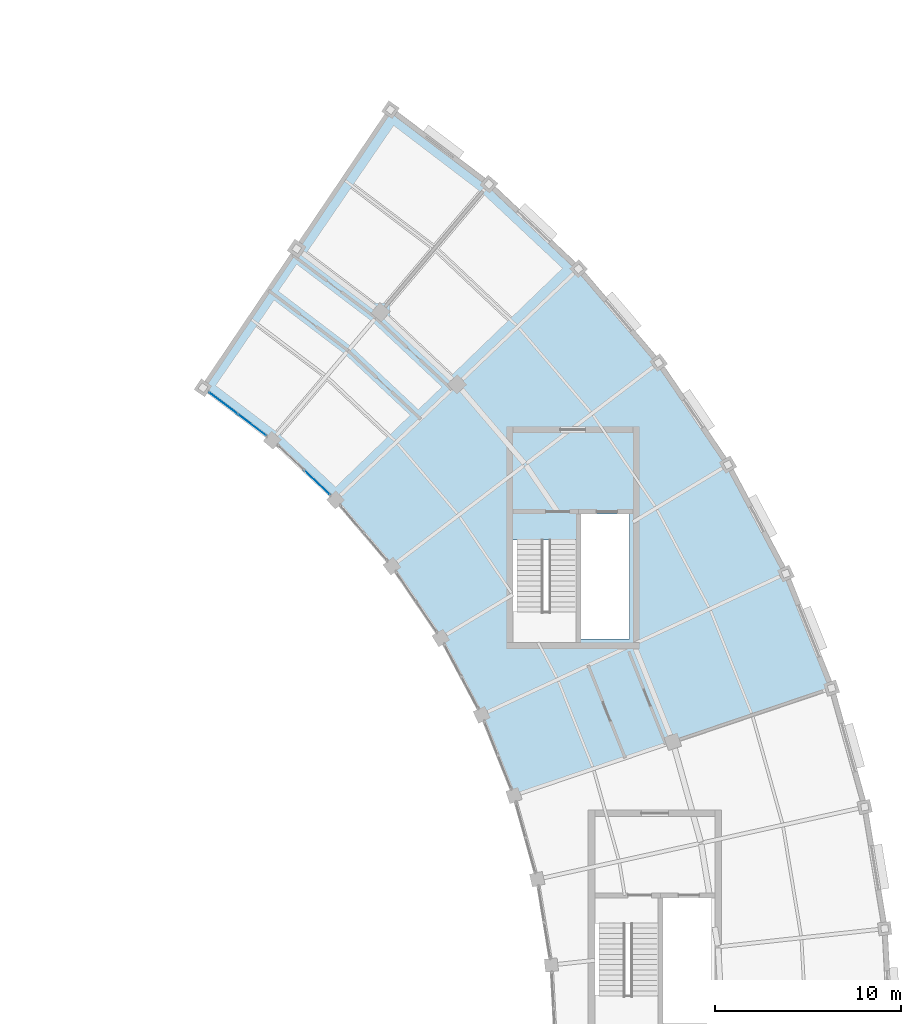
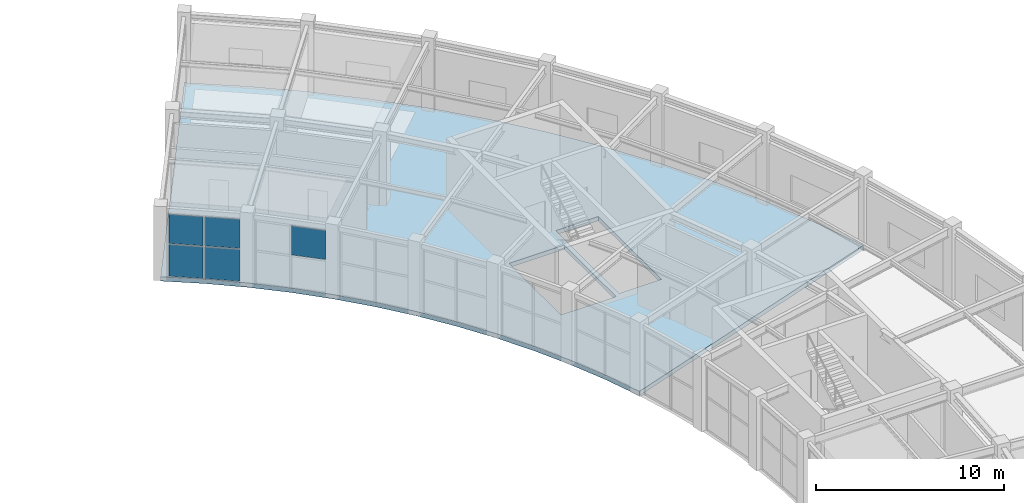
# One storey, part 75 of 100: 5 plates, 1 slab, 2 elements without a shape of their own.
"""IFC4 building model written with IfcOpenShell, lengths in metres."""

from ifc_helpers import new_model, si_unit, direction, frame, origin, origin_2d, place, context, subcontext, project, spatial, polyline, rectangle, outline, extrude, material, layer, layer_set, type_object, element, aggregate, save


model = new_model("IFC4")

# Units and contexts
model_context = context("Model", 3, precision=1e-05, world=origin(), true_north=direction((0.0, 1.0)))
body_context = subcontext(model_context, "Body", "Model", "MODEL_VIEW")
ifc_project = project(units=[si_unit("LENGTHUNIT", "METRE"), si_unit("AREAUNIT", "SQUARE_METRE"), si_unit("VOLUMEUNIT", "CUBIC_METRE"), si_unit("PLANEANGLEUNIT", "RADIAN"), si_unit("MASSUNIT", "GRAM", prefix="KILO")], contexts=[model_context])

# Site, building, storey
site_placement = place(None, origin())
site = spatial("IfcSite", under=ifc_project, at=site_placement, CompositionType="ELEMENT")
building_placement = place(site_placement, origin())
building = spatial("IfcBuilding", under=site, at=building_placement, Name="Tarnveldt Headland Concert Hall", CompositionType="ELEMENT")
storey_placement = place(building_placement, frame((0.0, 0.0, 4.800048828125)))
storey = spatial("IfcBuildingStorey", under=building, at=storey_placement, Name="L01", CompositionType="ELEMENT", Elevation=4.800048828125)

# Curtain wall, plate
ifc_material_1 = material(Name="Marine-anodised aluminium EN AW-6063-T6", Category="aluminium")
curtain_wall_type = type_object("IfcCurtainWallType", Name="CW-C2", PredefinedType="NOTDEFINED", material=ifc_material_1)
curtain_wall_1_placement = place(storey_placement, origin())
curtain_wall_1 = element("IfcCurtainWall", 1, at=curtain_wall_1_placement, inside=storey, type_object=curtain_wall_type, Name="Curtain wall CW-L01-121", PredefinedType="NOTDEFINED")
ifc_material_2 = material(Name="Acoustic laminated low-iron double glazing", Category="glass")
ifc_layer_1 = layer(ifc_material_2, 0.02587890625, Name="Acoustic laminated low-iron double glazing", Category="glass")
ifc_layer_set_1 = layer_set([ifc_layer_1], Name="Acoustic laminated low-iron double glazing")
plate_type = type_object("IfcPlateType", Name="PN-C2", PredefinedType="CURTAIN_PANEL", material=ifc_layer_set_1)
plate_1_placement = place(storey_placement, frame((147.671875, 90.56396484375, 2.213623046875), z_axis=(0.0, 0.0, 1.0), x_axis=(-0.72736565674, 0.686250101199, 0.0)))
plate_1 = element("IfcPlate", 2, at=plate_1_placement, type_object=plate_type, Name="Glazed panel CW-L01-121-1-2", PredefinedType="CURTAIN_PANEL", context=body_context, shape_type="SweptSolid", body=[
    extrude(rectangle(XDim=1.834716796875, YDim=0.02587890625, at=origin_2d()), origin(), (0.0, 0.0, 1.0), 1.87646484375),
])
aggregate(curtain_wall_1, [plate_1])

# Curtain wall, plates
curtain_wall_2_placement = place(storey_placement, origin())
curtain_wall_2 = element("IfcCurtainWall", 3, at=curtain_wall_2_placement, inside=storey, type_object=curtain_wall_type, Name="Curtain wall CW-L01-122", PredefinedType="NOTDEFINED")
plate_2_placement = place(storey_placement, frame((144.181396484375, 93.654296875, 0.08984375), z_axis=(0.0, 0.0, 1.0), x_axis=(-0.797468106507, 0.603361101749, 0.0)))
plate_2 = element("IfcPlate", 4, at=plate_2_placement, type_object=plate_type, Name="Glazed panel CW-L01-122-1-1", PredefinedType="CURTAIN_PANEL", context=body_context, shape_type="SweptSolid", body=[
    extrude(rectangle(XDim=1.834716796875, YDim=0.02587890625, at=origin_2d()), origin(), (0.0, 0.0, 1.0), 2.043701171875),
])
plate_3_placement = place(storey_placement, frame((144.181396484375, 93.654296875, 2.213623046875), z_axis=(0.0, 0.0, 1.0), x_axis=(-0.797468106507, 0.603361101749, 0.0)))
plate_3 = element("IfcPlate", 5, at=plate_3_placement, type_object=plate_type, Name="Glazed panel CW-L01-122-1-2", PredefinedType="CURTAIN_PANEL", context=body_context, shape_type="SweptSolid", body=[
    extrude(rectangle(XDim=1.834716796875, YDim=0.02587890625, at=origin_2d()), origin(), (0.0, 0.0, 1.0), 1.87646484375),
])
plate_4_placement = place(storey_placement, frame((142.63134765625, 94.826904296875, 0.08984375), z_axis=(0.0, 0.0, 1.0), x_axis=(-0.797468106507, 0.603361101749, 0.0)))
plate_4 = element("IfcPlate", 6, at=plate_4_placement, type_object=plate_type, Name="Glazed panel CW-L01-122-2-1", PredefinedType="CURTAIN_PANEL", context=body_context, shape_type="SweptSolid", body=[
    extrude(rectangle(XDim=1.834716796875, YDim=0.02587890625, at=origin_2d()), origin(), (0.0, 0.0, 1.0), 2.043701171875),
])
plate_5_placement = place(storey_placement, frame((142.63134765625, 94.826904296875, 2.213623046875), z_axis=(0.0, 0.0, 1.0), x_axis=(-0.797468106507, 0.603361101749, 0.0)))
plate_5 = element("IfcPlate", 7, at=plate_5_placement, type_object=plate_type, Name="Glazed panel CW-L01-122-2-2", PredefinedType="CURTAIN_PANEL", context=body_context, shape_type="SweptSolid", body=[
    extrude(rectangle(XDim=1.834716796875, YDim=0.02587890625, at=origin_2d()), origin(), (0.0, 0.0, 1.0), 1.87646484375),
])
aggregate(curtain_wall_2, [plate_2, plate_3, plate_4, plate_5])

# Slab
ifc_material_3 = material(Name="Concrete C40/50", Category="concrete")
ifc_layer_2 = layer(ifc_material_3, 0.280029296875, Name="Concrete C40/50", Category="concrete")
ifc_layer_set_2 = layer_set([ifc_layer_2], Name="Concrete C40/50")
slab_type = type_object("IfcSlabType", Name="SL-FL280", PredefinedType="FLOOR", material=ifc_layer_set_2)
slab_placement = place(storey_placement, frame((0.0, 0.0, -0.280029296875)))
element("IfcSlab", 8, at=slab_placement, inside=storey, type_object=slab_type, Name="Crescent wing floor slab L01 sector 2", PredefinedType="FLOOR", context=body_context, shape_type="SweptSolid", body=[
    extrude(outline(polyline([(157.43115234375, 75.953369140625), (158.238037109375, 73.7626953125), (175.291259765625, 79.523681640625), (174.146484375, 82.631591796875), (172.834716796875, 85.672607421875), (171.35986328125, 88.6376953125), (169.726318359375, 91.518798828125), (167.938720703125, 94.306640625), (166.00244140625, 96.993408203125), (163.923095703125, 99.5712890625), (161.70703125, 102.032470703125), (159.360595703125, 104.369873046875), (156.89111328125, 106.576416015625), (154.30517578125, 108.6455078125), (151.61083984375, 110.5712890625), (141.54541015625, 95.648681640625), (143.444580078125, 94.291015625), (145.267333984375, 92.83251953125), (147.00830078125, 91.277099609375), (148.662353515625, 89.62939453125), (150.224609375, 87.89453125), (151.690185546875, 86.077392578125), (153.05517578125, 84.183349609375), (154.315185546875, 82.218017578125), (155.466796875, 80.187255859375), (156.50634765625, 78.096923828125), (157.43115234375, 75.953369140625)]), holes=[polyline([(158.179931640625, 87.47998046875), (161.56005859375, 87.47998046875), (161.56005859375, 81.97998046875), (158.179931640625, 81.97998046875), (158.179931640625, 87.47998046875)]), polyline([(164.43994140625, 88.860107421875), (164.43994140625, 82.159912109375), (161.840087890625, 82.159912109375), (161.840087890625, 88.860107421875), (164.43994140625, 88.860107421875)])]), origin(), (0.0, 0.0, 1.0), 0.280029296875),
])

save(model, "model.ifc")
